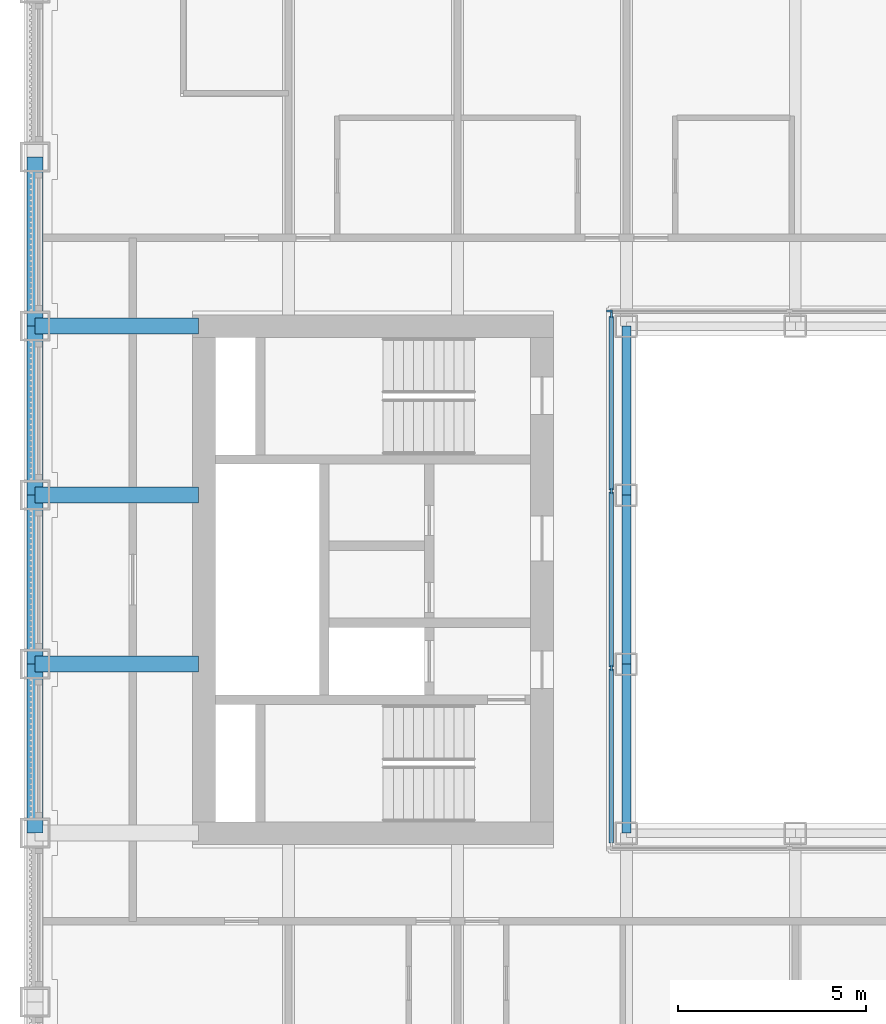
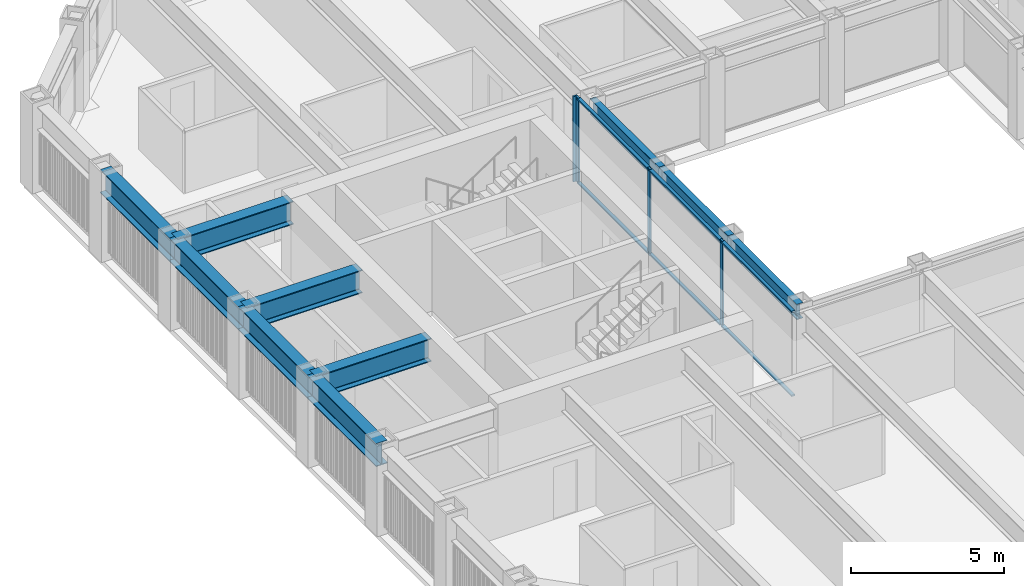
# One storey, part 4 of 17: 10 beams, 10 members, 2 elements without a shape of their own.
"""IFC4 building model written with IfcOpenShell, lengths in metres."""

from ifc_helpers import new_model, si_unit, direction, frame, origin, origin_2d, place, context, subcontext, project, spatial, rectangle, i_section, extrude, material, material_profile, profile_set, type_object, element, aggregate, save


model = new_model("IFC4")

# Units and contexts
model_context = context("Model", 3, precision=1e-05, world=origin(), true_north=direction((0.0, 1.0)))
body_context = subcontext(model_context, "Body", "Model", "MODEL_VIEW")
ifc_project = project(units=[si_unit("LENGTHUNIT", "METRE"), si_unit("AREAUNIT", "SQUARE_METRE"), si_unit("VOLUMEUNIT", "CUBIC_METRE"), si_unit("PLANEANGLEUNIT", "RADIAN"), si_unit("MASSUNIT", "GRAM", prefix="KILO")], contexts=[model_context])

# Site, building, storey
site_placement = place(None, origin())
site = spatial("IfcSite", under=ifc_project, at=site_placement, CompositionType="ELEMENT")
building_placement = place(site_placement, origin())
building = spatial("IfcBuilding", under=site, at=building_placement, Name="Msasa Ring Tower", CompositionType="ELEMENT")
storey_placement = place(building_placement, frame((0.0, 0.0, 136.39990234375)))
storey = spatial("IfcBuildingStorey", under=building, at=storey_placement, Name="L35", CompositionType="ELEMENT", Elevation=136.39990234375)

# Curtain wall, member
ifc_material_1 = material(Name="Aluminium curtain wall with clear glass", Category="aluminium")
curtain_wall_type = type_object("IfcCurtainWallType", Name="CW-W LIGHT WELL CURTAIN WALL", PredefinedType="NOTDEFINED", material=ifc_material_1)
curtain_wall_1_placement = place(storey_placement, origin())
curtain_wall_1 = element("IfcCurtainWall", 1, at=curtain_wall_1_placement, inside=storey, type_object=curtain_wall_type, Name="Light well curtain wall N L35", PredefinedType="NOTDEFINED")
ifc_material_2 = material(Name="Aluminium mullion", Category="aluminium")
ifc_material_profile_1 = material_profile(ifc_material_2, rectangle(XDim=0.06005859375, YDim=0.159912109375, at=origin_2d()), Name="AL 60x160")
ifc_profile_set_1 = profile_set([ifc_material_profile_1], Name="Aluminium mullion")
member_type_1 = type_object("IfcMemberType", Name="CW-W MULLION 60x160", PredefinedType="MULLION", material=ifc_profile_set_1)
member_1_placement = place(storey_placement, frame((-7.199951171875, 7.14990234375, 0.0), z_axis=(0.0, 0.0, 1.0), x_axis=(0.0, 1.0, 0.0)))
member_1 = element("IfcMember", 2, at=member_1_placement, type_object=member_type_1, Name="CW-W mullion 1", PredefinedType="MULLION", context=body_context, shape_type="SweptSolid", body=[
    extrude(rectangle(XDim=0.06005859375, YDim=0.159912109375, at=origin_2d()), origin(), (0.0, 0.0, 1.0), 3.400146484375),
])
aggregate(curtain_wall_1, [member_1])

# Curtain wall, members
curtain_wall_2_placement = place(storey_placement, origin())
curtain_wall_2 = element("IfcCurtainWall", 3, at=curtain_wall_2_placement, inside=storey, type_object=curtain_wall_type, Name="Light well curtain wall W L35", PredefinedType="NOTDEFINED")
member_2_placement = place(storey_placement, frame((-7.14990234375, -2.356689453125, 0.0), z_axis=(0.0, 0.0, 1.0), x_axis=(-1.0, 0.0, 0.0)))
member_2 = element("IfcMember", 4, at=member_2_placement, type_object=member_type_1, Name="CW-W mullion 2", PredefinedType="MULLION", context=body_context, shape_type="SweptSolid", body=[
    extrude(rectangle(XDim=0.06005859375, YDim=0.159912109375, at=origin_2d()), origin(), (0.0, 0.0, 1.0), 3.400146484375),
])
member_3_placement = place(storey_placement, frame((-7.14990234375, 2.356689453125, 0.0), z_axis=(0.0, 0.0, 1.0), x_axis=(-1.0, 0.0, 0.0)))
member_3 = element("IfcMember", 5, at=member_3_placement, type_object=member_type_1, Name="CW-W mullion 3", PredefinedType="MULLION", context=body_context, shape_type="SweptSolid", body=[
    extrude(rectangle(XDim=0.06005859375, YDim=0.159912109375, at=origin_2d()), origin(), (0.0, 0.0, 1.0), 3.400146484375),
])
member_4_placement = place(storey_placement, frame((-7.14990234375, 7.0400390625, 0.0), z_axis=(0.0, 0.0, 1.0), x_axis=(-1.0, 0.0, 0.0)))
member_4 = element("IfcMember", 6, at=member_4_placement, type_object=member_type_1, Name="CW-W mullion 4", PredefinedType="MULLION", context=body_context, shape_type="SweptSolid", body=[
    extrude(rectangle(XDim=0.06005859375, YDim=0.159912109375, at=origin_2d()), origin(), (0.0, 0.0, 1.0), 3.400146484375),
])
ifc_material_3 = material(Name="Aluminium transom", Category="aluminium")
ifc_material_profile_2 = material_profile(ifc_material_3, rectangle(XDim=0.1201171875, YDim=0.06005859375, at=origin_2d()), Name="AL 60x120")
ifc_profile_set_2 = profile_set([ifc_material_profile_2], Name="Aluminium transom")
member_type_2 = type_object("IfcMemberType", Name="CW-W TRANSOM 60x120", PredefinedType="USERDEFINED", material=ifc_profile_set_2)
member_5_placement = place(storey_placement, frame((-7.14990234375, -7.010009765625, 0.030029296875), z_axis=(0.0, 1.0, 0.0), x_axis=(-1.0, 0.0, 0.0)))
member_5 = element("IfcMember", 7, at=member_5_placement, type_object=member_type_2, Name="CW-W transom 1.1", ObjectType="TRANSOM", PredefinedType="USERDEFINED", context=body_context, shape_type="SweptSolid", body=[
    extrude(rectangle(XDim=0.1201171875, YDim=0.06005859375, at=origin_2d()), origin(), (0.0, 0.0, 1.0), 4.623291015625),
])
member_6_placement = place(storey_placement, frame((-7.14990234375, -7.010009765625, 3.3701171875), z_axis=(0.0, 1.0, 0.0), x_axis=(-1.0, 0.0, 0.0)))
member_6 = element("IfcMember", 8, at=member_6_placement, type_object=member_type_2, Name="CW-W transom 1.2", ObjectType="TRANSOM", PredefinedType="USERDEFINED", context=body_context, shape_type="SweptSolid", body=[
    extrude(rectangle(XDim=0.1201171875, YDim=0.06005859375, at=origin_2d()), origin(), (0.0, 0.0, 1.0), 4.623291015625),
])
member_7_placement = place(storey_placement, frame((-7.14990234375, -2.32666015625, 0.030029296875), z_axis=(0.0, 1.0, 0.0), x_axis=(-1.0, 0.0, 0.0)))
member_7 = element("IfcMember", 9, at=member_7_placement, type_object=member_type_2, Name="CW-W transom 2.1", ObjectType="TRANSOM", PredefinedType="USERDEFINED", context=body_context, shape_type="SweptSolid", body=[
    extrude(rectangle(XDim=0.1201171875, YDim=0.06005859375, at=origin_2d()), origin(), (0.0, 0.0, 1.0), 4.6533203125),
])
member_8_placement = place(storey_placement, frame((-7.14990234375, -2.32666015625, 3.3701171875), z_axis=(0.0, 1.0, 0.0), x_axis=(-1.0, 0.0, 0.0)))
member_8 = element("IfcMember", 10, at=member_8_placement, type_object=member_type_2, Name="CW-W transom 2.2", ObjectType="TRANSOM", PredefinedType="USERDEFINED", context=body_context, shape_type="SweptSolid", body=[
    extrude(rectangle(XDim=0.1201171875, YDim=0.06005859375, at=origin_2d()), origin(), (0.0, 0.0, 1.0), 4.6533203125),
])
member_9_placement = place(storey_placement, frame((-7.14990234375, 2.38671875, 0.030029296875), z_axis=(0.0, 1.0, 0.0), x_axis=(-1.0, 0.0, 0.0)))
member_9 = element("IfcMember", 11, at=member_9_placement, type_object=member_type_2, Name="CW-W transom 3.1", ObjectType="TRANSOM", PredefinedType="USERDEFINED", context=body_context, shape_type="SweptSolid", body=[
    extrude(rectangle(XDim=0.1201171875, YDim=0.06005859375, at=origin_2d()), origin(), (0.0, 0.0, 1.0), 4.623291015625),
])
member_10_placement = place(storey_placement, frame((-7.14990234375, 2.38671875, 3.3701171875), z_axis=(0.0, 1.0, 0.0), x_axis=(-1.0, 0.0, 0.0)))
member_10 = element("IfcMember", 12, at=member_10_placement, type_object=member_type_2, Name="CW-W transom 3.2", ObjectType="TRANSOM", PredefinedType="USERDEFINED", context=body_context, shape_type="SweptSolid", body=[
    extrude(rectangle(XDim=0.1201171875, YDim=0.06005859375, at=origin_2d()), origin(), (0.0, 0.0, 1.0), 4.623291015625),
])
aggregate(curtain_wall_2, [member_2, member_3, member_4, member_5, member_6, member_7, member_8, member_9, member_10])

# Beams
ifc_material_4 = material(Name="Steel S355", Category="steel")
ifc_material_profile_3 = material_profile(ifc_material_4, i_section(OverallWidth=0.42041015625, OverallDepth=0.9208984375, WebThickness=0.021484375, FlangeThickness=0.03662109375, FilletRadius=0.024169921875, at=origin_2d()), Name="UB 914x419x388")
ifc_profile_set_3 = profile_set([ifc_material_profile_3], Name="Steel S355")
beam_type_1 = type_object("IfcBeamType", Name="FB2 UB 914x419x388", PredefinedType="BEAM", material=ifc_profile_set_3)
for number, where, z_axis, x_axis, name in (
    (13, (-22.5, -2.25, 2.939697265625), (1.0, 0.0, 0.0), (0.0, 1.0, 0.0), "Floor beam W -2.25 under L36"),
    (14, (-22.5, 2.25, 2.939697265625), (1.0, 0.0, 0.0), (0.0, 1.0, 0.0), "Floor beam W +2.25 under L36"),
):
    element("IfcBeam", number, at=place(storey_placement, frame(where, z_axis=z_axis, x_axis=x_axis)), inside=storey, type_object=beam_type_1, Name=name, PredefinedType="BEAM", context=body_context, shape_type="SweptSolid", body=[
        extrude(i_section(OverallWidth=0.42041015625, OverallDepth=0.9208984375, WebThickness=0.021484375, FlangeThickness=0.03662109375, FilletRadius=0.024169921875, at=origin_2d()), origin(), (0.0, 0.0, 1.0), 4.35009765625),
    ])
ifc_material_5 = material(Name="Steel S355", Category="steel")
ifc_material_profile_4 = material_profile(ifc_material_5, i_section(OverallWidth=0.42041015625, OverallDepth=0.9208984375, WebThickness=0.021484375, FlangeThickness=0.03662109375, FilletRadius=0.024169921875, at=origin_2d()), Name="UB 914x419x388")
ifc_profile_set_4 = profile_set([ifc_material_profile_4], Name="Steel S355")
beam_type_2 = type_object("IfcBeamType", Name="GB1 UB 914x419x388", PredefinedType="BEAM", material=ifc_profile_set_4)
beam_placement = place(storey_placement, frame((-18.14990234375, 6.75, 2.939697265625), z_axis=(-1.0, 0.0, 0.0), x_axis=(0.0, -1.0, 0.0)))
element("IfcBeam", 15, at=beam_placement, inside=storey, type_object=beam_type_2, Name="Girder W +6.75 under L36", PredefinedType="BEAM", context=body_context, shape_type="SweptSolid", body=[
    extrude(i_section(OverallWidth=0.42041015625, OverallDepth=0.9208984375, WebThickness=0.021484375, FlangeThickness=0.03662109375, FilletRadius=0.024169921875, at=origin_2d()), origin(), (0.0, 0.0, 1.0), 4.35009765625),
])
ifc_material_6 = material(Name="Steel S355", Category="steel")
ifc_material_profile_5 = material_profile(ifc_material_6, i_section(OverallWidth=0.230224609375, OverallDepth=0.6171875, WebThickness=0.01318359375, FlangeThickness=0.022216796875, FilletRadius=0.0126953125, at=origin_2d()), Name="UB 610x229x140")
ifc_profile_set_5 = profile_set([ifc_material_profile_5], Name="Steel S355")
beam_type_3 = type_object("IfcBeamType", Name="RB1 UB 610x229x140", PredefinedType="BEAM", material=ifc_profile_set_5)
for number, where, z_axis, x_axis, name in (
    (16, (-6.75, -2.25, 3.091552734375), (0.0, -1.0, 0.0), (1.0, 0.0, 0.0), "Inner ring beam IR-6.75-2.25 under L36"),
    (17, (-6.75, 6.75, 3.091552734375), (0.0, -1.0, 0.0), (1.0, 0.0, 0.0), "Inner ring beam IR-6.75+6.75 under L36"),
    (18, (-6.75, 2.25, 3.091552734375), (0.0, -1.0, 0.0), (1.0, 0.0, 0.0), "Inner ring beam IR-6.75+2.25 under L36"),
):
    element("IfcBeam", number, at=place(storey_placement, frame(where, z_axis=z_axis, x_axis=x_axis)), inside=storey, type_object=beam_type_3, Name=name, PredefinedType="BEAM", context=body_context, shape_type="SweptSolid", body=[
        extrude(i_section(OverallWidth=0.230224609375, OverallDepth=0.6171875, WebThickness=0.01318359375, FlangeThickness=0.022216796875, FilletRadius=0.0126953125, at=origin_2d()), origin(), (0.0, 0.0, 1.0), 4.5),
    ])
ifc_material_7 = material(Name="Steel S355", Category="steel")
ifc_material_profile_6 = material_profile(ifc_material_7, i_section(OverallWidth=0.42041015625, OverallDepth=0.9208984375, WebThickness=0.021484375, FlangeThickness=0.03662109375, FilletRadius=0.024169921875, at=origin_2d()), Name="UB 914x419x388")
ifc_profile_set_6 = profile_set([ifc_material_profile_6], Name="Steel S355")
beam_type_4 = type_object("IfcBeamType", Name="SB1 UB 914x419x388", PredefinedType="SPANDREL", material=ifc_profile_set_6)
for number, where, z_axis, x_axis, name in (
    (19, (-22.5, -2.25, 2.939697265625), (0.0, -1.0, 0.0), (1.0, 0.0, 0.0), "Spandrel W-2.25 to W-6.75 under L36"),
    (20, (-22.5, 11.25, 2.939697265625), (0.0, -1.0, 0.0), (1.0, 0.0, 0.0), "Spandrel W+11.25 to W+6.75 under L36"),
    (21, (-22.5, 6.75, 2.939697265625), (0.0, -1.0, 0.0), (1.0, 0.0, 0.0), "Spandrel W+6.75 to W+2.25 under L36"),
    (22, (-22.5, 2.25, 2.939697265625), (0.0, -1.0, 0.0), (1.0, 0.0, 0.0), "Spandrel W+2.25 to W-2.25 under L36"),
):
    element("IfcBeam", number, at=place(storey_placement, frame(where, z_axis=z_axis, x_axis=x_axis)), inside=storey, type_object=beam_type_4, Name=name, PredefinedType="SPANDREL", context=body_context, shape_type="SweptSolid", body=[
        extrude(i_section(OverallWidth=0.42041015625, OverallDepth=0.9208984375, WebThickness=0.021484375, FlangeThickness=0.03662109375, FilletRadius=0.024169921875, at=origin_2d()), origin(), (0.0, 0.0, 1.0), 4.5),
    ])

save(model, "model.ifc")
